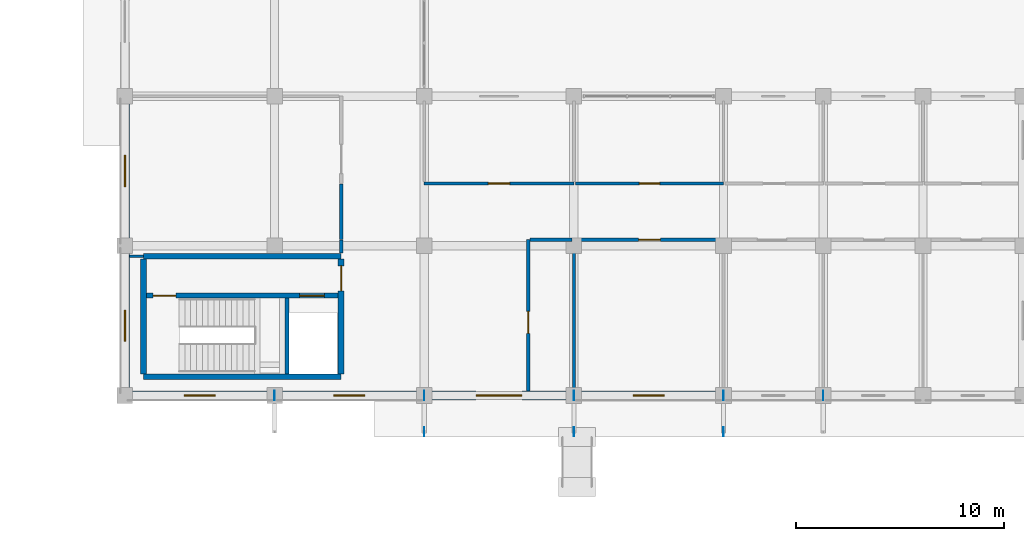
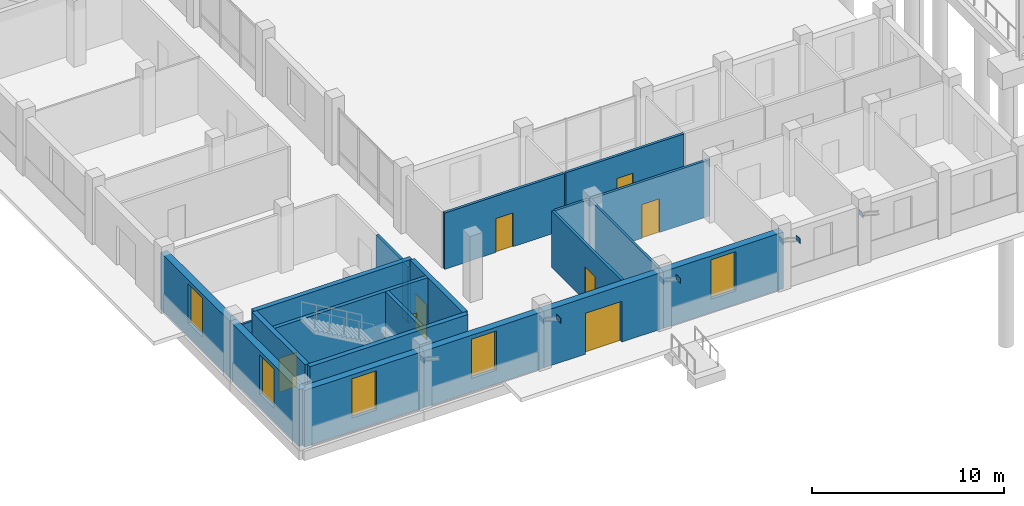
# One storey, part 71 of 98: 21 walls, 8 doors, 8 plates, 5 windows, 13 openings.
"""IFC4 building model written with IfcOpenShell, lengths in metres."""

from ifc_helpers import new_model, si_unit, direction, frame, frame_2d, origin, origin_with_axes, origin_2d, place, context, subcontext, project, spatial, rectangle, extrude, material, layer, layer_set, type_object, element, fill, save


model = new_model("IFC4")

# Units and contexts
model_context = context("Model", 3, precision=1e-05, world=origin(), true_north=direction((0.0, 1.0)))
body_context = subcontext(model_context, "Body", "Model", "MODEL_VIEW")
ifc_project = project(units=[si_unit("LENGTHUNIT", "METRE"), si_unit("AREAUNIT", "SQUARE_METRE"), si_unit("VOLUMEUNIT", "CUBIC_METRE"), si_unit("PLANEANGLEUNIT", "RADIAN"), si_unit("MASSUNIT", "GRAM", prefix="KILO")], contexts=[model_context])

# Site, building, storey
site_placement = place(None, origin())
site = spatial("IfcSite", under=ifc_project, at=site_placement, CompositionType="ELEMENT")
building_placement = place(site_placement, origin())
building = spatial("IfcBuilding", under=site, at=building_placement, Name="Zornivar Specialist Clinic", CompositionType="ELEMENT")
storey_placement = place(building_placement, origin())
storey = spatial("IfcBuildingStorey", under=building, at=storey_placement, Name="L00", CompositionType="ELEMENT", Elevation=0.0)

# Plates
ifc_material_1 = material(Name="Steel S355J2", Category="steel")
ifc_layer_1 = layer(ifc_material_1, 0.01806640625)
ifc_layer_set_1 = layer_set([ifc_layer_1], Name="Steel S355J2")
plate_type = type_object("IfcPlateType", Name="PL-GUSSET-V4-18", PredefinedType="USERDEFINED", material=ifc_layer_set_1)
for number, where, z_axis, x_axis, name in (
    (1, (7.199951171875, 0.0, 2.7900390625), (0.0, 0.0, 1.0), (0.0, 1.0, 0.0), "plate:bnode:L00:001"),
    (2, (14.39990234375, 0.0, 2.7900390625), (0.0, 0.0, 1.0), (0.0, 1.0, 0.0), "plate:bnode:L00:003"),
    (3, (14.39990234375, -1.75, 3.91015625), (0.0, 0.0, 1.0), (0.0, 1.0, 0.0), "plate:bnode:L00:004"),
    (4, (21.60009765625, 0.0, 2.7900390625), (0.0, 0.0, 1.0), (0.0, 1.0, 0.0), "plate:bnode:L00:006"),
    (5, (21.60009765625, -1.75, 3.91015625), (0.0, 0.0, 1.0), (0.0, 1.0, 0.0), "plate:bnode:L00:007"),
    (6, (28.800048828125, 0.0, 2.7900390625), (0.0, 0.0, 1.0), (0.0, 1.0, 0.0), "plate:bnode:L00:009"),
    (7, (28.800048828125, -1.75, 3.91015625), (0.0, 0.0, 1.0), (0.0, 1.0, 0.0), "plate:bnode:L00:010"),
    (8, (33.60009765625, 0.0, 2.7900390625), (0.0, 0.0, 1.0), (0.0, 1.0, 0.0), "plate:bnode:L00:012"),
):
    element("IfcPlate", number, at=place(storey_placement, frame(where, z_axis=z_axis, x_axis=x_axis)), inside=storey, type_object=plate_type, Name=name, ObjectType="GUSSET PLATE", PredefinedType="USERDEFINED", context=body_context, shape_type="SweptSolid", body=[
        extrude(rectangle(XDim=0.43994140625, YDim=0.01806640625, at=origin_2d()), origin(), (0.0, 0.0, 1.0), 0.320068359375),
    ])

# Wall, opening, window
ifc_material_2 = material(Name="Masonry Vratsa Limestone Ashlar Cavity Wall", Category="masonry")
ifc_layer_2 = layer(ifc_material_2, 0.419921875)
ifc_layer_set_2 = layer_set([ifc_layer_2], Name="Masonry Vratsa Limestone Ashlar Cavity Wall")
wall_type_1 = type_object("IfcWallType", Name="EW-LIMESTONE-420", PredefinedType="SOLIDWALL", material=ifc_layer_set_2)
wall_1_placement = place(storey_placement, origin_with_axes())
wall_1 = element("IfcWall", 9, at=wall_1_placement, inside=storey, type_object=wall_type_1, Name="ew:V2:L00:00", PredefinedType="SOLIDWALL", context=body_context, shape_type="SweptSolid", body=[
    extrude(rectangle(XDim=7.199951171875, YDim=0.419921875, at=frame_2d((3.60009765625, 0.0))), origin(), (0.0, 0.0, 1.0), 3.60009765625),
])
opening_1_placement = place(wall_1_placement, frame((2.85009765625, 0.0, 0.85009765625)))
opening_1 = element("IfcOpeningElement", 10, at=opening_1_placement, cuts=wall_1, Name="Opening W-02", PredefinedType="OPENING", context=body_context, shape_type="SweptSolid", body=[
    extrude(rectangle(XDim=1.5, YDim=2.5, at=frame_2d((0.75, 1.25))), frame((0.0, 0.219970703125, 0.0), z_axis=(0.0, -1.0, 0.0), x_axis=(1.0, 0.0, 0.0)), (0.0, 0.0, 1.0), 0.43994140625),
])
ifc_material_3 = material(Name="Triple-Glazed Aluminium-Timber Window Glass", Category="wood")
window_type = type_object("IfcWindowType", Name="WIN-PLINTH-STREET-1500x2500", PartitioningType="SINGLE_PANEL", PredefinedType="WINDOW", material=ifc_material_3)
window_1_placement = place(opening_1_placement, origin())
window_1 = element("IfcWindow", 11, at=window_1_placement, inside=storey, type_object=window_type, Name="win:V2:L00:00", OverallHeight=2.5, OverallWidth=1.5, PartitioningType="SINGLE_PANEL", PredefinedType="WINDOW", context=body_context, shape_type="SweptSolid", body=[
    extrude(rectangle(XDim=1.5, YDim=2.5, at=frame_2d((0.75, 1.25))), frame((0.0, 0.030029296875, 0.0), z_axis=(0.0, -1.0, 0.0), x_axis=(1.0, 0.0, 0.0)), (0.0, 0.0, 1.0), 0.06005859375),
])
fill(opening_1, window_1)

wall_2_placement = place(storey_placement, frame((7.199951171875, 0.0, 0.0), z_axis=(0.0, 0.0, 1.0), x_axis=(1.0, 0.0, 0.0)))
wall_2 = element("IfcWall", 12, at=wall_2_placement, inside=storey, type_object=wall_type_1, Name="ew:V2:L00:01", PredefinedType="SOLIDWALL", context=body_context, shape_type="SweptSolid", body=[
    extrude(rectangle(XDim=7.199951171875, YDim=0.419921875, at=frame_2d((3.60009765625, 0.0))), origin(), (0.0, 0.0, 1.0), 3.60009765625),
])
opening_2_placement = place(wall_2_placement, frame((2.85009765625, 0.0, 0.85009765625)))
opening_2 = element("IfcOpeningElement", 13, at=opening_2_placement, cuts=wall_2, Name="Opening W-02", PredefinedType="OPENING", context=body_context, shape_type="SweptSolid", body=[
    extrude(rectangle(XDim=1.5, YDim=2.5, at=frame_2d((0.75, 1.25))), frame((0.0, 0.219970703125, 0.0), z_axis=(0.0, -1.0, 0.0), x_axis=(1.0, 0.0, 0.0)), (0.0, 0.0, 1.0), 0.43994140625),
])
window_2_placement = place(opening_2_placement, origin())
window_2 = element("IfcWindow", 14, at=window_2_placement, inside=storey, type_object=window_type, Name="win:V2:L00:01", OverallHeight=2.5, OverallWidth=1.5, PartitioningType="SINGLE_PANEL", PredefinedType="WINDOW", context=body_context, shape_type="SweptSolid", body=[
    extrude(rectangle(XDim=1.5, YDim=2.5, at=frame_2d((0.75, 1.25))), frame((0.0, 0.030029296875, 0.0), z_axis=(0.0, -1.0, 0.0), x_axis=(1.0, 0.0, 0.0)), (0.0, 0.0, 1.0), 0.06005859375),
])
fill(opening_2, window_2)

# Wall, opening, door
wall_3_placement = place(storey_placement, frame((14.39990234375, 0.0, 0.0), z_axis=(0.0, 0.0, 1.0), x_axis=(1.0, 0.0, 0.0)))
wall_3 = element("IfcWall", 15, at=wall_3_placement, inside=storey, type_object=wall_type_1, Name="ew:V2:L00:02", PredefinedType="SOLIDWALL", context=body_context, shape_type="SweptSolid", body=[
    extrude(rectangle(XDim=7.2001953125, YDim=0.419921875, at=frame_2d((3.60009765625, 0.0))), origin(), (0.0, 0.0, 1.0), 3.60009765625),
])
opening_3_placement = place(wall_3_placement, frame((2.5, 0.0, 0.0)))
opening_3 = element("IfcOpeningElement", 16, at=opening_3_placement, cuts=wall_3, Name="Opening ED-01", PredefinedType="OPENING", context=body_context, shape_type="SweptSolid", body=[
    extrude(rectangle(XDim=2.199951171875, YDim=2.60009765625, at=frame_2d((1.10009765625, 1.300048828125))), frame((0.0, 0.219970703125, 0.0), z_axis=(0.0, -1.0, 0.0), x_axis=(1.0, 0.0, 0.0)), (0.0, 0.0, 1.0), 0.43994140625),
])
ifc_material_4 = material(Name="Thermally Broken Glazed Aluminium Door", Category="aluminium")
door_type_1 = type_object("IfcDoorType", Name="ED-MAIN-2200x2600", OperationType="NOTDEFINED", PredefinedType="DOOR", material=ifc_material_4)
door_1_placement = place(opening_3_placement, frame((2.199951171875, 0.0, 0.0), z_axis=(0.0, 0.0, 1.0), x_axis=(-1.0, 0.0, 0.0)))
door_1 = element("IfcDoor", 17, at=door_1_placement, inside=storey, type_object=door_type_1, Name="door:V2:L00:02", OperationType="DOUBLE_DOOR_SINGLE_SWING", OverallHeight=2.60009765625, OverallWidth=2.199951171875, PredefinedType="DOOR", context=body_context, shape_type="SweptSolid", body=[
    extrude(rectangle(XDim=2.199951171875, YDim=2.60009765625, at=frame_2d((1.10009765625, 1.300048828125))), frame((0.0, 0.02490234375, 0.0), z_axis=(0.0, -1.0, 0.0), x_axis=(1.0, 0.0, 0.0)), (0.0, 0.0, 1.0), 0.050048828125),
])
fill(opening_3, door_1)

# Wall, opening, window
wall_4_placement = place(storey_placement, frame((21.60009765625, 0.0, 0.0), z_axis=(0.0, 0.0, 1.0), x_axis=(1.0, 0.0, 0.0)))
wall_4 = element("IfcWall", 18, at=wall_4_placement, inside=storey, type_object=wall_type_1, Name="ew:V2:L00:03", PredefinedType="SOLIDWALL", context=body_context, shape_type="SweptSolid", body=[
    extrude(rectangle(XDim=7.199951171875, YDim=0.419921875, at=frame_2d((3.60009765625, 0.0))), origin(), (0.0, 0.0, 1.0), 3.60009765625),
])
opening_4_placement = place(wall_4_placement, frame((2.85009765625, 0.0, 0.85009765625)))
opening_4 = element("IfcOpeningElement", 19, at=opening_4_placement, cuts=wall_4, Name="Opening W-02", PredefinedType="OPENING", context=body_context, shape_type="SweptSolid", body=[
    extrude(rectangle(XDim=1.5, YDim=2.5, at=frame_2d((0.75, 1.25))), frame((0.0, 0.219970703125, 0.0), z_axis=(0.0, -1.0, 0.0), x_axis=(1.0, 0.0, 0.0)), (0.0, 0.0, 1.0), 0.43994140625),
])
window_3_placement = place(opening_4_placement, origin())
window_3 = element("IfcWindow", 20, at=window_3_placement, inside=storey, type_object=window_type, Name="win:V2:L00:03", OverallHeight=2.5, OverallWidth=1.5, PartitioningType="SINGLE_PANEL", PredefinedType="WINDOW", context=body_context, shape_type="SweptSolid", body=[
    extrude(rectangle(XDim=1.5, YDim=2.5, at=frame_2d((0.75, 1.25))), frame((0.0, 0.030029296875, 0.0), z_axis=(0.0, -1.0, 0.0), x_axis=(1.0, 0.0, 0.0)), (0.0, 0.0, 1.0), 0.06005859375),
])
fill(opening_4, window_3)

wall_5_placement = place(storey_placement, frame((0.0, 14.39990234375, 0.0), z_axis=(0.0, 0.0, 1.0), x_axis=(0.0, -1.0, 0.0)))
wall_5 = element("IfcWall", 21, at=wall_5_placement, inside=storey, type_object=wall_type_1, Name="ew:V2:L00:30", PredefinedType="SOLIDWALL", context=body_context, shape_type="SweptSolid", body=[
    extrude(rectangle(XDim=7.199951171875, YDim=0.419921875, at=frame_2d((3.60009765625, 0.0))), origin(), (0.0, 0.0, 1.0), 3.60009765625),
])
opening_5_placement = place(wall_5_placement, frame((2.85009765625, 0.0, 0.85009765625)))
opening_5 = element("IfcOpeningElement", 22, at=opening_5_placement, cuts=wall_5, Name="Opening W-02", PredefinedType="OPENING", context=body_context, shape_type="SweptSolid", body=[
    extrude(rectangle(XDim=1.5, YDim=2.5, at=frame_2d((0.75, 1.25))), frame((0.0, 0.219970703125, 0.0), z_axis=(0.0, -1.0, 0.0), x_axis=(1.0, 0.0, 0.0)), (0.0, 0.0, 1.0), 0.43994140625),
])
window_4_placement = place(opening_5_placement, origin())
window_4 = element("IfcWindow", 23, at=window_4_placement, inside=storey, type_object=window_type, Name="win:V2:L00:30", OverallHeight=2.5, OverallWidth=1.5, PartitioningType="SINGLE_PANEL", PredefinedType="WINDOW", context=body_context, shape_type="SweptSolid", body=[
    extrude(rectangle(XDim=1.5, YDim=2.5, at=frame_2d((0.75, 1.25))), frame((0.0, 0.030029296875, 0.0), z_axis=(0.0, -1.0, 0.0), x_axis=(1.0, 0.0, 0.0)), (0.0, 0.0, 1.0), 0.06005859375),
])
fill(opening_5, window_4)

wall_6_placement = place(storey_placement, frame((0.0, 7.199951171875, 0.0), z_axis=(0.0, 0.0, 1.0), x_axis=(0.0, -1.0, 0.0)))
wall_6 = element("IfcWall", 24, at=wall_6_placement, inside=storey, type_object=wall_type_1, Name="ew:V2:L00:31", PredefinedType="SOLIDWALL", context=body_context, shape_type="SweptSolid", body=[
    extrude(rectangle(XDim=7.199951171875, YDim=0.419921875, at=frame_2d((3.60009765625, 0.0))), origin(), (0.0, 0.0, 1.0), 3.60009765625),
])
opening_6_placement = place(wall_6_placement, frame((3.10009765625, 0.0, 0.85009765625)))
opening_6 = element("IfcOpeningElement", 25, at=opening_6_placement, cuts=wall_6, Name="Opening W-02", PredefinedType="OPENING", context=body_context, shape_type="SweptSolid", body=[
    extrude(rectangle(XDim=1.5, YDim=2.5, at=frame_2d((0.75, 1.25))), frame((0.0, 0.219970703125, 0.0), z_axis=(0.0, -1.0, 0.0), x_axis=(1.0, 0.0, 0.0)), (0.0, 0.0, 1.0), 0.43994140625),
])
window_5_placement = place(opening_6_placement, origin())
window_5 = element("IfcWindow", 26, at=window_5_placement, inside=storey, type_object=window_type, Name="win:V2:L00:31", OverallHeight=2.5, OverallWidth=1.5, PartitioningType="SINGLE_PANEL", PredefinedType="WINDOW", context=body_context, shape_type="SweptSolid", body=[
    extrude(rectangle(XDim=1.5, YDim=2.5, at=frame_2d((0.75, 1.25))), frame((0.0, 0.030029296875, 0.0), z_axis=(0.0, -1.0, 0.0), x_axis=(1.0, 0.0, 0.0)), (0.0, 0.0, 1.0), 0.06005859375),
])
fill(opening_6, window_5)

# Walls
ifc_material_5 = material(Name="Acoustic Clinical Stud Partition")
ifc_layer_3 = layer(ifc_material_5, 0.139892578125)
ifc_layer_set_3 = layer_set([ifc_layer_3], Name="Acoustic Clinical Stud Partition")
wall_type_2 = type_object("IfcWallType", Name="IW-CLIN-140", PredefinedType="PARTITIONING", material=ifc_layer_set_3)
wall_7_placement = place(storey_placement, frame((0.89990234375, 6.699951171875, 0.0), z_axis=(0.0, 0.0, 1.0), x_axis=(-1.0, 0.0, 0.0)))
element("IfcWall", 27, at=wall_7_placement, inside=storey, type_object=wall_type_2, Name="iw:L00:072", PredefinedType="PARTITIONING", context=body_context, shape_type="SweptSolid", body=[
    extrude(rectangle(XDim=0.6748046875, YDim=0.139892578125, at=frame_2d((0.33740234375, 0.0))), origin(), (0.0, 0.0, 1.0), 3.580078125),
])
wall_8_placement = place(storey_placement, frame((21.60009765625, 7.5, 0.0), z_axis=(0.0, 0.0, 1.0), x_axis=(0.0, -1.0, 0.0)))
element("IfcWall", 28, at=wall_8_placement, inside=storey, type_object=wall_type_2, Name="iw:L00:092", PredefinedType="PARTITIONING", context=body_context, shape_type="SweptSolid", body=[
    extrude(rectangle(XDim=7.27490234375, YDim=0.139892578125, at=frame_2d((3.637451171875, 0.0))), origin(), (0.0, 0.0, 1.0), 3.580078125),
])
ifc_material_6 = material(Name="Gypsum Fire-Rated Double Stud Partition")
ifc_layer_4 = layer(ifc_material_6, 0.159912109375)
ifc_layer_set_4 = layer_set([ifc_layer_4], Name="Gypsum Fire-Rated Double Stud Partition")
wall_type_3 = type_object("IfcWallType", Name="IW-CORR-EI60-160", PredefinedType="PARTITIONING", material=ifc_layer_set_4)
wall_9_placement = place(storey_placement, frame((10.39990234375, 10.18798828125, 0.0), z_axis=(0.0, 0.0, 1.0), x_axis=(0.0, -1.0, 0.0)))
element("IfcWall", 29, at=wall_9_placement, inside=storey, type_object=wall_type_3, Name="iw:L00:070", PredefinedType="PARTITIONING", context=body_context, shape_type="SweptSolid", body=[
    extrude(rectangle(XDim=2.68798828125, YDim=0.159912109375, at=frame_2d((1.343994140625, 0.0))), origin(), (0.0, 0.0, 1.0), 3.580078125),
])
wall_10_placement = place(storey_placement, frame((10.39990234375, 7.488037109375, 0.0), z_axis=(0.0, 0.0, 1.0), x_axis=(0.0, -1.0, 0.0)))
element("IfcWall", 30, at=wall_10_placement, inside=storey, type_object=wall_type_3, Name="iw:L00:071", PredefinedType="PARTITIONING", context=body_context, shape_type="SweptSolid", body=[
    extrude(rectangle(XDim=0.633056640625, YDim=0.159912109375, at=frame_2d((0.31640625, 0.0))), origin(), (0.0, 0.0, 1.0), 3.580078125),
])

# Wall, opening, door
wall_11_placement = place(storey_placement, frame((19.39990234375, 0.22509765625, 0.0), z_axis=(0.0, 0.0, 1.0), x_axis=(0.0, 1.0, 0.0)))
wall_11 = element("IfcWall", 31, at=wall_11_placement, inside=storey, type_object=wall_type_3, Name="iw:L00:093", PredefinedType="PARTITIONING", context=body_context, shape_type="SweptSolid", body=[
    extrude(rectangle(XDim=7.27490234375, YDim=0.159912109375, at=frame_2d((3.637451171875, 0.0))), origin(), (0.0, 0.0, 1.0), 3.580078125),
])
opening_7_placement = place(wall_11_placement, frame((2.76904296875, 0.0, 0.0)))
opening_7 = element("IfcOpeningElement", 32, at=opening_7_placement, cuts=wall_11, Name="Opening ID-03", PredefinedType="OPENING", context=body_context, shape_type="SweptSolid", body=[
    extrude(rectangle(XDim=1.050048828125, YDim=2.14990234375, at=frame_2d((0.52490234375, 1.074951171875))), frame((0.0, 0.08984375, 0.0), z_axis=(0.0, -1.0, 0.0), x_axis=(1.0, 0.0, 0.0)), (0.0, 0.0, 1.0), 0.179931640625),
])
ifc_material_7 = material(Name="Solid-Core Hygienic Laminate Timber Door", Category="wood")
door_type_2 = type_object("IfcDoorType", Name="ID-CONS-1050x2150", OperationType="NOTDEFINED", PredefinedType="DOOR", material=ifc_material_7)
door_2_placement = place(opening_7_placement, origin())
door_2 = element("IfcDoor", 33, at=door_2_placement, inside=storey, type_object=door_type_2, Name="door:space:V2:L00:rm:09", OperationType="SINGLE_SWING_RIGHT", OverallHeight=2.14990234375, OverallWidth=1.050048828125, PredefinedType="DOOR", context=body_context, shape_type="SweptSolid", body=[
    extrude(rectangle(XDim=1.050048828125, YDim=2.14990234375, at=frame_2d((0.52490234375, 1.074951171875))), frame((0.0, 0.02490234375, 0.0), z_axis=(0.0, -1.0, 0.0), x_axis=(1.0, 0.0, 0.0)), (0.0, 0.0, 1.0), 0.050048828125),
])
fill(opening_7, door_2)

# Wall
wall_12_placement = place(storey_placement, frame((19.493896484375, 7.5, 0.0), z_axis=(0.0, 0.0, 1.0), x_axis=(1.0, 0.0, 0.0)))
element("IfcWall", 34, at=wall_12_placement, inside=storey, type_object=wall_type_3, Name="iw:L00:094", PredefinedType="PARTITIONING", context=body_context, shape_type="SweptSolid", body=[
    extrude(rectangle(XDim=2.022216796875, YDim=0.159912109375, at=frame_2d((1.01123046875, 0.0))), origin(), (0.0, 0.0, 1.0), 3.580078125),
])

# Wall, opening, door
wall_13_placement = place(storey_placement, frame((21.60009765625, 10.199951171875, 0.0), z_axis=(0.0, 0.0, 1.0), x_axis=(-1.0, 0.0, 0.0)))
wall_13 = element("IfcWall", 35, at=wall_13_placement, inside=storey, type_object=wall_type_3, Name="iw:L00:095", PredefinedType="PARTITIONING", context=body_context, shape_type="SweptSolid", body=[
    extrude(rectangle(XDim=7.2001953125, YDim=0.159912109375, at=frame_2d((3.60009765625, 0.0))), origin(), (0.0, 0.0, 1.0), 3.580078125),
])
opening_8_placement = place(wall_13_placement, frame((3.090087890625, 0.0, 0.0)))
opening_8 = element("IfcOpeningElement", 36, at=opening_8_placement, cuts=wall_13, Name="Opening ID-14", PredefinedType="OPENING", context=body_context, shape_type="SweptSolid", body=[
    extrude(rectangle(XDim=1.02001953125, YDim=2.14990234375, at=frame_2d((0.510009765625, 1.074951171875))), frame((0.0, 0.08984375, 0.0), z_axis=(0.0, -1.0, 0.0), x_axis=(1.0, 0.0, 0.0)), (0.0, 0.0, 1.0), 0.179931640625),
])
ifc_material_8 = material(Name="Solid-Core Hygienic Laminate Timber Door", Category="wood")
door_type_3 = type_object("IfcDoorType", Name="ID-OFFICE-1020x2150", OperationType="NOTDEFINED", PredefinedType="DOOR", material=ifc_material_8)
door_3_placement = place(opening_8_placement, origin())
door_3 = element("IfcDoor", 37, at=door_3_placement, inside=storey, type_object=door_type_3, Name="door:space:V2:L00:rm:10", OperationType="SINGLE_SWING_LEFT", OverallHeight=2.14990234375, OverallWidth=1.02001953125, PredefinedType="DOOR", context=body_context, shape_type="SweptSolid", body=[
    extrude(rectangle(XDim=1.02001953125, YDim=2.14990234375, at=frame_2d((0.510009765625, 1.074951171875))), frame((0.0, 0.02490234375, 0.0), z_axis=(0.0, -1.0, 0.0), x_axis=(1.0, 0.0, 0.0)), (0.0, 0.0, 1.0), 0.050048828125),
])
fill(opening_8, door_3)

wall_14_placement = place(storey_placement, frame((21.68408203125, 7.5, 0.0), z_axis=(0.0, 0.0, 1.0), x_axis=(1.0, 0.0, 0.0)))
wall_14 = element("IfcWall", 38, at=wall_14_placement, inside=storey, type_object=wall_type_3, Name="iw:L00:098", PredefinedType="PARTITIONING", context=body_context, shape_type="SweptSolid", body=[
    extrude(rectangle(XDim=7.115966796875, YDim=0.159912109375, at=frame_2d((3.55810546875, 0.0))), origin(), (0.0, 0.0, 1.0), 3.580078125),
])
opening_9_placement = place(wall_14_placement, frame((3.032958984375, 0.0, 0.0)))
opening_9 = element("IfcOpeningElement", 39, at=opening_9_placement, cuts=wall_14, Name="Opening ID-03", PredefinedType="OPENING", context=body_context, shape_type="SweptSolid", body=[
    extrude(rectangle(XDim=1.050048828125, YDim=2.14990234375, at=frame_2d((0.52490234375, 1.074951171875))), frame((0.0, 0.08984375, 0.0), z_axis=(0.0, -1.0, 0.0), x_axis=(1.0, 0.0, 0.0)), (0.0, 0.0, 1.0), 0.179931640625),
])
door_4_placement = place(opening_9_placement, origin())
door_4 = element("IfcDoor", 40, at=door_4_placement, inside=storey, type_object=door_type_2, Name="door:space:V2:L00:rm:11", OperationType="SINGLE_SWING_RIGHT", OverallHeight=2.14990234375, OverallWidth=1.050048828125, PredefinedType="DOOR", context=body_context, shape_type="SweptSolid", body=[
    extrude(rectangle(XDim=1.050048828125, YDim=2.14990234375, at=frame_2d((0.52490234375, 1.074951171875))), frame((0.0, 0.02490234375, 0.0), z_axis=(0.0, -1.0, 0.0), x_axis=(1.0, 0.0, 0.0)), (0.0, 0.0, 1.0), 0.050048828125),
])
fill(opening_9, door_4)

wall_15_placement = place(storey_placement, frame((28.800048828125, 10.199951171875, 0.0), z_axis=(0.0, 0.0, 1.0), x_axis=(-1.0, 0.0, 0.0)))
wall_15 = element("IfcWall", 41, at=wall_15_placement, inside=storey, type_object=wall_type_3, Name="iw:L00:100", PredefinedType="PARTITIONING", context=body_context, shape_type="SweptSolid", body=[
    extrude(rectangle(XDim=7.115966796875, YDim=0.159912109375, at=frame_2d((3.55810546875, 0.0))), origin(), (0.0, 0.0, 1.0), 3.580078125),
])
opening_10_placement = place(wall_15_placement, frame((3.068115234375, 0.0, 0.0)))
opening_10 = element("IfcOpeningElement", 42, at=opening_10_placement, cuts=wall_15, Name="Opening ID-09", PredefinedType="OPENING", context=body_context, shape_type="SweptSolid", body=[
    extrude(rectangle(XDim=0.97998046875, YDim=2.14990234375, at=frame_2d((0.489990234375, 1.074951171875))), frame((0.0, 0.08984375, 0.0), z_axis=(0.0, -1.0, 0.0), x_axis=(1.0, 0.0, 0.0)), (0.0, 0.0, 1.0), 0.179931640625),
])
ifc_material_9 = material(Name="Solid-Core Hygienic Laminate Timber Door", Category="wood")
door_type_4 = type_object("IfcDoorType", Name="ID-STAFF-0980x2150", OperationType="NOTDEFINED", PredefinedType="DOOR", material=ifc_material_9)
door_5_placement = place(opening_10_placement, origin())
door_5 = element("IfcDoor", 43, at=door_5_placement, inside=storey, type_object=door_type_4, Name="door:space:V2:L00:rm:12", OperationType="SINGLE_SWING_LEFT", OverallHeight=2.14990234375, OverallWidth=0.97998046875, PredefinedType="DOOR", context=body_context, shape_type="SweptSolid", body=[
    extrude(rectangle(XDim=0.97998046875, YDim=2.14990234375, at=frame_2d((0.489990234375, 1.074951171875))), frame((0.0, 0.02490234375, 0.0), z_axis=(0.0, -1.0, 0.0), x_axis=(1.0, 0.0, 0.0)), (0.0, 0.0, 1.0), 0.050048828125),
])
fill(opening_10, door_5)

# Wall
ifc_material_10 = material(Name="Concrete C35/45", Category="concrete")
ifc_layer_5 = layer(ifc_material_10, 0.280029296875)
ifc_layer_set_5 = layer_set([ifc_layer_5], Name="Concrete C35/45")
wall_type_4 = type_object("IfcWallType", Name="SW-CORE-280", PredefinedType="SHEAR", material=ifc_layer_set_5)
wall_16_placement = place(storey_placement, frame((0.89990234375, 0.89990234375, 0.0), z_axis=(0.0, 0.0, 1.0), x_axis=(1.0, 0.0, 0.0)))
element("IfcWall", 44, at=wall_16_placement, inside=storey, type_object=wall_type_4, Name="sw:C1:L00:w0", PredefinedType="SHEAR", context=body_context, shape_type="SweptSolid", body=[
    extrude(rectangle(XDim=9.5, YDim=0.280029296875, at=frame_2d((4.75, 0.0))), origin(), (0.0, 0.0, 1.0), 4.219970703125),
])

# Wall, opening, door
wall_17_placement = place(storey_placement, frame((10.39990234375, 1.0400390625, 0.0), z_axis=(0.0, 0.0, 1.0), x_axis=(0.0, 1.0, 0.0)))
wall_17 = element("IfcWall", 45, at=wall_17_placement, inside=storey, type_object=wall_type_4, Name="sw:C1:L00:w1", PredefinedType="SHEAR", context=body_context, shape_type="SweptSolid", body=[
    extrude(rectangle(XDim=5.52001953125, YDim=0.280029296875, at=frame_2d((2.760009765625, 0.0))), origin(), (0.0, 0.0, 1.0), 4.219970703125),
])
opening_11_placement = place(wall_17_placement, frame((4.0, 0.0, 0.0)))
opening_11 = element("IfcOpeningElement", 46, at=opening_11_placement, cuts=wall_17, Name="Opening FD-01", PredefinedType="OPENING", context=body_context, shape_type="SweptSolid", body=[
    extrude(rectangle(XDim=1.199951171875, YDim=2.25, at=frame_2d((0.60009765625, 1.125))), frame((0.0, 0.14990234375, 0.0), z_axis=(0.0, -1.0, 0.0), x_axis=(1.0, 0.0, 0.0)), (0.0, 0.0, 1.0), 0.300048828125),
])
ifc_material_11 = material(Name="Solid-Core Hygienic Laminate Timber Door", Category="wood")
door_type_5 = type_object("IfcDoorType", Name="FD-LOBBY-MAIN-1200x2250", OperationType="NOTDEFINED", PredefinedType="DOOR", material=ifc_material_11)
door_6_placement = place(opening_11_placement, origin())
door_6 = element("IfcDoor", 47, at=door_6_placement, inside=storey, type_object=door_type_5, Name="door:C1:L00:lob", OperationType="SINGLE_SWING_RIGHT", OverallHeight=2.25, OverallWidth=1.199951171875, PredefinedType="DOOR", context=body_context, shape_type="SweptSolid", body=[
    extrude(rectangle(XDim=1.199951171875, YDim=2.25, at=frame_2d((0.60009765625, 1.125))), frame((0.0, 0.02490234375, 0.0), z_axis=(0.0, -1.0, 0.0), x_axis=(1.0, 0.0, 0.0)), (0.0, 0.0, 1.0), 0.050048828125),
])
fill(opening_11, door_6)

# Walls
wall_18_placement = place(storey_placement, frame((10.39990234375, 6.699951171875, 0.0), z_axis=(0.0, 0.0, 1.0), x_axis=(-1.0, 0.0, 0.0)))
element("IfcWall", 48, at=wall_18_placement, inside=storey, type_object=wall_type_4, Name="sw:C1:L00:w2", PredefinedType="SHEAR", context=body_context, shape_type="SweptSolid", body=[
    extrude(rectangle(XDim=9.5, YDim=0.280029296875, at=frame_2d((4.75, 0.0))), origin(), (0.0, 0.0, 1.0), 4.219970703125),
])
wall_19_placement = place(storey_placement, frame((0.89990234375, 6.56005859375, 0.0), z_axis=(0.0, 0.0, 1.0), x_axis=(0.0, -1.0, 0.0)))
element("IfcWall", 49, at=wall_19_placement, inside=storey, type_object=wall_type_4, Name="sw:C1:L00:w3", PredefinedType="SHEAR", context=body_context, shape_type="SweptSolid", body=[
    extrude(rectangle(XDim=5.52001953125, YDim=0.280029296875, at=frame_2d((2.760009765625, 0.0))), origin(), (0.0, 0.0, 1.0), 4.219970703125),
])
ifc_material_12 = material(Name="Concrete C30/37", Category="concrete")
ifc_layer_6 = layer(ifc_material_12, 0.199951171875)
ifc_layer_set_6 = layer_set([ifc_layer_6], Name="Concrete C30/37")
wall_type_5 = type_object("IfcWallType", Name="SW-LIFT-200", PredefinedType="SHEAR", material=ifc_layer_set_6)
wall_20_placement = place(storey_placement, frame((7.800048828125, 1.0400390625, 0.0), z_axis=(0.0, 0.0, 1.0), x_axis=(0.0, 1.0, 0.0)))
element("IfcWall", 50, at=wall_20_placement, inside=storey, type_object=wall_type_5, Name="sw:C1:L00:sdiv", PredefinedType="SHEAR", context=body_context, shape_type="SweptSolid", body=[
    extrude(rectangle(XDim=3.659912109375, YDim=0.199951171875, at=frame_2d((1.830078125, 0.0))), origin(), (0.0, 0.0, 1.0), 4.219970703125),
])

# Wall, openings, doors
ifc_material_13 = material(Name="Concrete C30/37", Category="concrete")
ifc_layer_7 = layer(ifc_material_13, 0.219970703125)
ifc_layer_set_7 = layer_set([ifc_layer_7], Name="Concrete C30/37")
wall_type_6 = type_object("IfcWallType", Name="SW-SHAFT-220", PredefinedType="SHEAR", material=ifc_layer_set_7)
wall_21_placement = place(storey_placement, frame((1.0400390625, 4.81005859375, 0.0), z_axis=(0.0, 0.0, 1.0), x_axis=(1.0, 0.0, 0.0)))
wall_21 = element("IfcWall", 51, at=wall_21_placement, inside=storey, type_object=wall_type_6, Name="sw:C1:L00:stwall", PredefinedType="SHEAR", context=body_context, shape_type="SweptSolid", body=[
    extrude(rectangle(XDim=9.219970703125, YDim=0.219970703125, at=frame_2d((4.60986328125, 0.0))), origin(), (0.0, 0.0, 1.0), 4.219970703125),
])
opening_12_placement = place(wall_21_placement, frame((0.31005859375, 0.0, 0.0)))
opening_12 = element("IfcOpeningElement", 52, at=opening_12_placement, cuts=wall_21, Name="Opening FD-02", PredefinedType="OPENING", context=body_context, shape_type="SweptSolid", body=[
    extrude(rectangle(XDim=1.10009765625, YDim=2.14990234375, at=frame_2d((0.550048828125, 1.074951171875))), frame((0.0, 0.119873046875, 0.0), z_axis=(0.0, -1.0, 0.0), x_axis=(1.0, 0.0, 0.0)), (0.0, 0.0, 1.0), 0.239990234375),
])
opening_13_placement = place(wall_21_placement, frame((7.360107421875, 0.0, 0.0)))
opening_13 = element("IfcOpeningElement", 53, at=opening_13_placement, cuts=wall_21, Name="Opening LD-01", PredefinedType="OPENING", context=body_context, shape_type="SweptSolid", body=[
    extrude(rectangle(XDim=1.199951171875, YDim=2.199951171875, at=frame_2d((0.60009765625, 1.10009765625))), frame((0.0, 0.119873046875, 0.0), z_axis=(0.0, -1.0, 0.0), x_axis=(1.0, 0.0, 0.0)), (0.0, 0.0, 1.0), 0.239990234375),
])
ifc_material_14 = material(Name="Solid-Core Hygienic Laminate Timber Door", Category="wood")
door_type_6 = type_object("IfcDoorType", Name="FD-STAIR-1100x2150", OperationType="NOTDEFINED", PredefinedType="DOOR", material=ifc_material_14)
door_7_placement = place(opening_12_placement, origin())
door_7 = element("IfcDoor", 54, at=door_7_placement, inside=storey, type_object=door_type_6, Name="door:C1:L00:stair", OperationType="SINGLE_SWING_LEFT", OverallHeight=2.14990234375, OverallWidth=1.10009765625, PredefinedType="DOOR", context=body_context, shape_type="SweptSolid", body=[
    extrude(rectangle(XDim=1.10009765625, YDim=2.14990234375, at=frame_2d((0.550048828125, 1.074951171875))), frame((0.0, 0.02490234375, 0.0), z_axis=(0.0, -1.0, 0.0), x_axis=(1.0, 0.0, 0.0)), (0.0, 0.0, 1.0), 0.050048828125),
])
fill(opening_12, door_7)
ifc_material_15 = material(Name="Stainless Steel Lift Landing Sliding Door", Category="steel")
door_type_7 = type_object("IfcDoorType", Name="LD-LIFT-1200x2200", OperationType="NOTDEFINED", PredefinedType="DOOR", material=ifc_material_15)
door_8_placement = place(opening_13_placement, origin())
door_8 = element("IfcDoor", 55, at=door_8_placement, inside=storey, type_object=door_type_7, Name="door:C1:L00:lift", OperationType="DOUBLE_DOOR_SLIDING", OverallHeight=2.199951171875, OverallWidth=1.199951171875, PredefinedType="DOOR", context=body_context, shape_type="SweptSolid", body=[
    extrude(rectangle(XDim=1.199951171875, YDim=2.199951171875, at=frame_2d((0.60009765625, 1.10009765625))), frame((0.0, 0.02490234375, 0.0), z_axis=(0.0, -1.0, 0.0), x_axis=(1.0, 0.0, 0.0)), (0.0, 0.0, 1.0), 0.050048828125),
])
fill(opening_13, door_8)

save(model, "model.ifc")
